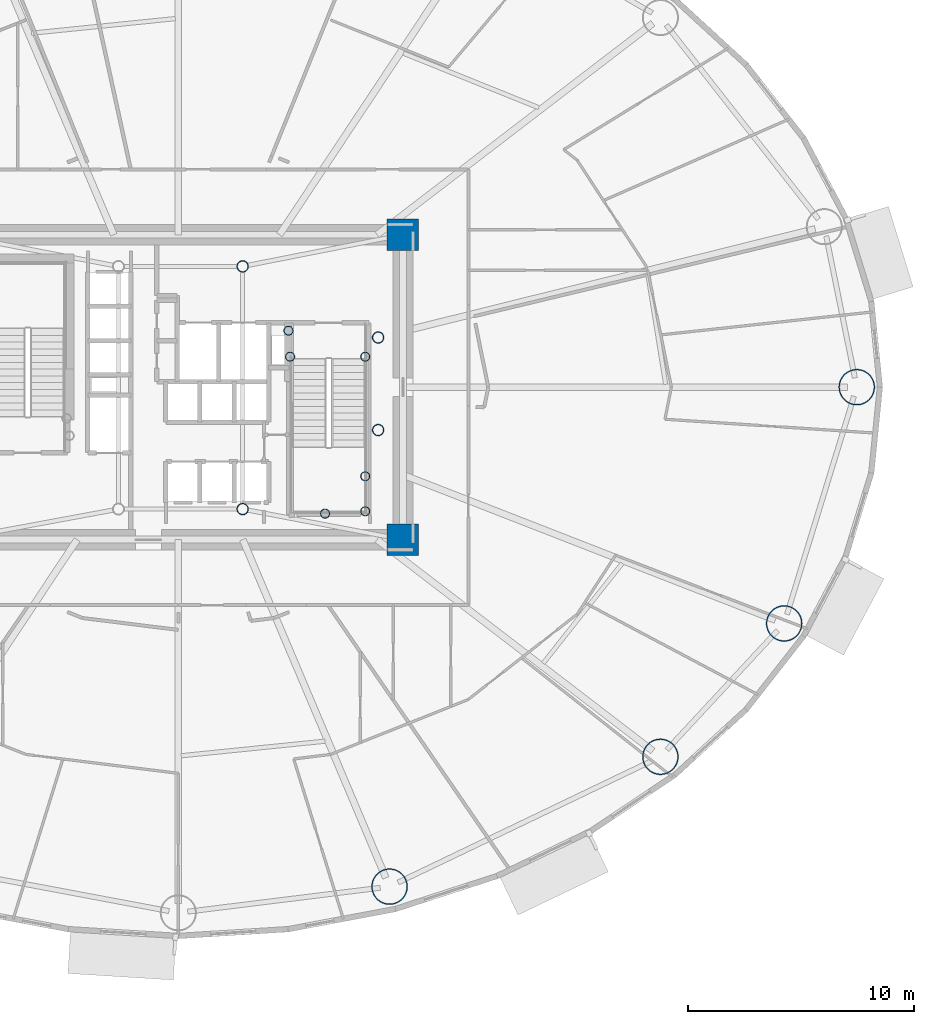
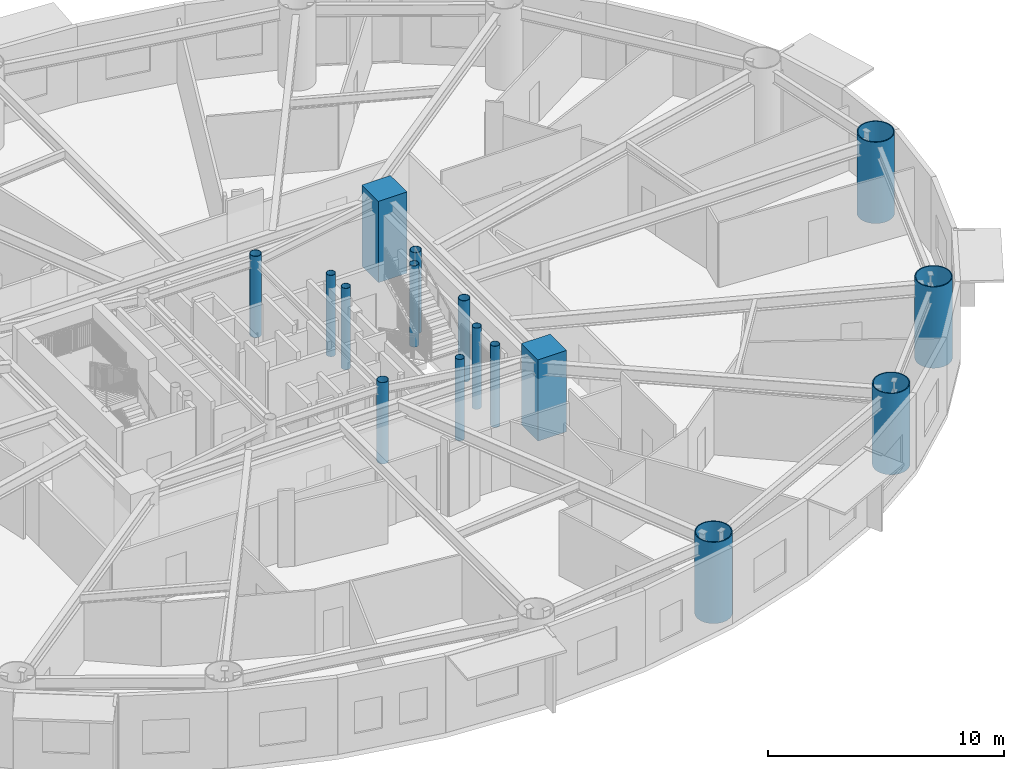
# One storey, part 2 of 21: 16 columns.
"""IFC4 building model written with IfcOpenShell, lengths in metres."""

from ifc_helpers import new_model, si_unit, direction, frame, origin, origin_2d, place, context, subcontext, project, spatial, rectangle, hollow_circle, extrude, material, material_profile, profile_set, type_object, element, save


model = new_model("IFC4")

# Units and contexts
model_context = context("Model", 3, precision=1e-05, world=origin(), true_north=direction((0.0, 1.0)))
body_context = subcontext(model_context, "Body", "Model", "MODEL_VIEW")
ifc_project = project(units=[si_unit("LENGTHUNIT", "METRE"), si_unit("AREAUNIT", "SQUARE_METRE"), si_unit("VOLUMEUNIT", "CUBIC_METRE"), si_unit("PLANEANGLEUNIT", "RADIAN"), si_unit("MASSUNIT", "GRAM", prefix="KILO")], contexts=[model_context])

# Site, building, storey
site_placement = place(None, origin())
site = spatial("IfcSite", under=ifc_project, at=site_placement, CompositionType="ELEMENT")
building_placement = place(site_placement, origin())
building = spatial("IfcBuilding", under=site, at=building_placement, Name="Linh Dai School and Residence Tower", CompositionType="ELEMENT")
storey_placement = place(building_placement, frame((0.0, 0.0, 78.60009765625)))
storey = spatial("IfcBuildingStorey", under=building, at=storey_placement, Name="L18", CompositionType="ELEMENT", Elevation=78.60009765625)

# Columns
ifc_material_1 = material(Name="Concrete B60 (C50/60)", Category="concrete")
ifc_material_profile_1 = material_profile(ifc_material_1, rectangle(XDim=1.39990234375, YDim=1.39990234375, at=origin_2d()), Name="RC 1400x1400")
ifc_profile_set_1 = profile_set([ifc_material_profile_1], Name="Concrete B60 (C50/60)")
column_type_1 = type_object("IfcColumnType", Name="COL-CC1", PredefinedType="COLUMN", material=ifc_profile_set_1)
for number, where, z_axis, x_axis, name in (
    (1, (45.949951171875, 20.25, 0.0), (0.0, 0.0, 1.0), (1.0, 0.0, 0.0), "L18 Core Corner Pier CC2"),
    (2, (45.949951171875, 33.75, 0.0), (0.0, 0.0, 1.0), (1.0, 0.0, 0.0), "L18 Core Corner Pier CC3"),
):
    element("IfcColumn", number, at=place(storey_placement, frame(where, z_axis=z_axis, x_axis=x_axis)), inside=storey, type_object=column_type_1, Name=name, PredefinedType="COLUMN", context=body_context, shape_type="SweptSolid", body=[
        extrude(rectangle(XDim=1.39990234375, YDim=1.39990234375, at=origin_2d()), origin(), (0.0, 0.0, 1.0), 4.199951171875),
    ])
ifc_material_2 = material(Name="Structural Steel S355JR", Category="steel")
ifc_material_profile_2 = material_profile(ifc_material_2, hollow_circle(Radius=0.203125, WallThickness=0.01611328125, at=origin_2d()), Name="CHS 406.4x16")
ifc_profile_set_2 = profile_set([ifc_material_profile_2], Name="Structural Steel S355JR")
column_type_2 = type_object("IfcColumnType", Name="COL-EC", PredefinedType="COLUMN", material=ifc_profile_set_2)
for number, where, z_axis, x_axis, name in (
    (3, (44.280029296875, 21.5, 0.0), (0.0, 0.0, 1.0), (1.0, 0.0, 0.0), "L18 Stair Shaft Landing Support Pier ST2SE"),
    (4, (44.280029296875, 23.050048828125, 0.0), (0.0, 0.0, 1.0), (1.0, 0.0, 0.0), "L18 Stair Shaft Landing Support Pier ST2NE"),
    (5, (42.5, 21.39990234375, 0.0), (0.0, 0.0, 1.0), (1.0, 0.0, 0.0), "L18 Stair Shaft Landing Support Pier ST2MS"),
    (6, (40.949951171875, 28.35009765625, 0.0), (0.0, 0.0, 1.0), (1.0, 0.0, 0.0), "L18 Stair Shaft Landing Support Pier ST2N1"),
    (7, (44.280029296875, 28.35009765625, 0.0), (0.0, 0.0, 1.0), (1.0, 0.0, 0.0), "L18 Stair Shaft Landing Support Pier ST2N2"),
    (8, (40.8798828125, 29.5, 0.0), (0.0, 0.0, 1.0), (1.0, 0.0, 0.0), "L18 Stair Shaft Landing Support Pier ST2N3"),
):
    element("IfcColumn", number, at=place(storey_placement, frame(where, z_axis=z_axis, x_axis=x_axis)), inside=storey, type_object=column_type_2, Name=name, PredefinedType="COLUMN", context=body_context, shape_type="SweptSolid", body=[
        extrude(hollow_circle(Radius=0.203125, WallThickness=0.01611328125, at=origin_2d()), origin(), (0.0, 0.0, 1.0), 4.199951171875),
    ])
ifc_material_profile_3 = material_profile(ifc_material_2, hollow_circle(Radius=0.800048828125, WallThickness=0.044921875, at=origin_2d()), Name="CHS 1600x45")
ifc_profile_set_3 = profile_set([ifc_material_profile_3], Name="Structural Steel S355JR")
column_type_3 = type_object("IfcColumnType", Name="COL-MC2", PredefinedType="COLUMN", material=ifc_profile_set_3)
for number, where, z_axis, x_axis, name in (
    (9, (66.050048828125, 27.0, 0.0), (0.0, 0.0, 1.0), (1.0, 0.0, 0.0), "L18 Perimeter CFT Mega-Column MC01"),
    (10, (45.357666015625, 4.880126953125, 0.0), (0.0, 0.0, 1.0), (1.0, 0.0, 0.0), "L18 Perimeter CFT Mega-Column MC14"),
    (11, (57.352783203125, 10.630859375, 0.0), (0.0, 0.0, 1.0), (1.0, 0.0, 0.0), "L18 Perimeter CFT Mega-Column MC15"),
    (12, (62.83544921875, 16.5361328125, 0.0), (0.0, 0.0, 1.0), (1.0, 0.0, 0.0), "L18 Perimeter CFT Mega-Column MC16"),
):
    element("IfcColumn", number, at=place(storey_placement, frame(where, z_axis=z_axis, x_axis=x_axis)), inside=storey, type_object=column_type_3, Name=name, PredefinedType="COLUMN", context=body_context, shape_type="SweptSolid", body=[
        extrude(hollow_circle(Radius=0.800048828125, WallThickness=0.044921875, at=origin_2d()), origin(), (0.0, 0.0, 1.0), 4.199951171875),
    ])
ifc_material_profile_4 = material_profile(ifc_material_2, hollow_circle(Radius=0.25390625, WallThickness=0.02001953125, at=origin_2d()), Name="CHS 508x20")
ifc_profile_set_4 = profile_set([ifc_material_profile_4], Name="Structural Steel S355JR")
column_type_4 = type_object("IfcColumnType", Name="COL-MCP", PredefinedType="COLUMN", material=ifc_profile_set_4)
for number, where, z_axis, x_axis, name in (
    (13, (38.85009765625, 21.60009765625, 0.0), (0.0, 0.0, 1.0), (1.0, 0.0, 0.0), "L18 Core Mast Support Pier MCP2"),
    (14, (38.85009765625, 32.35009765625, 0.0), (0.0, 0.0, 1.0), (1.0, 0.0, 0.0), "L18 Core Mast Support Pier MCP3"),
    (15, (44.85009765625, 25.10009765625, 0.0), (0.0, 0.0, 1.0), (1.0, 0.0, 0.0), "L18 Sky-Lounge Core Anchor Pier S"),
    (16, (44.85009765625, 29.199951171875, 0.0), (0.0, 0.0, 1.0), (1.0, 0.0, 0.0), "L18 Sky-Lounge Core Anchor Pier N"),
):
    element("IfcColumn", number, at=place(storey_placement, frame(where, z_axis=z_axis, x_axis=x_axis)), inside=storey, type_object=column_type_4, Name=name, PredefinedType="COLUMN", context=body_context, shape_type="SweptSolid", body=[
        extrude(hollow_circle(Radius=0.25390625, WallThickness=0.02001953125, at=origin_2d()), origin(), (0.0, 0.0, 1.0), 4.199951171875),
    ])

save(model, "model.ifc")
